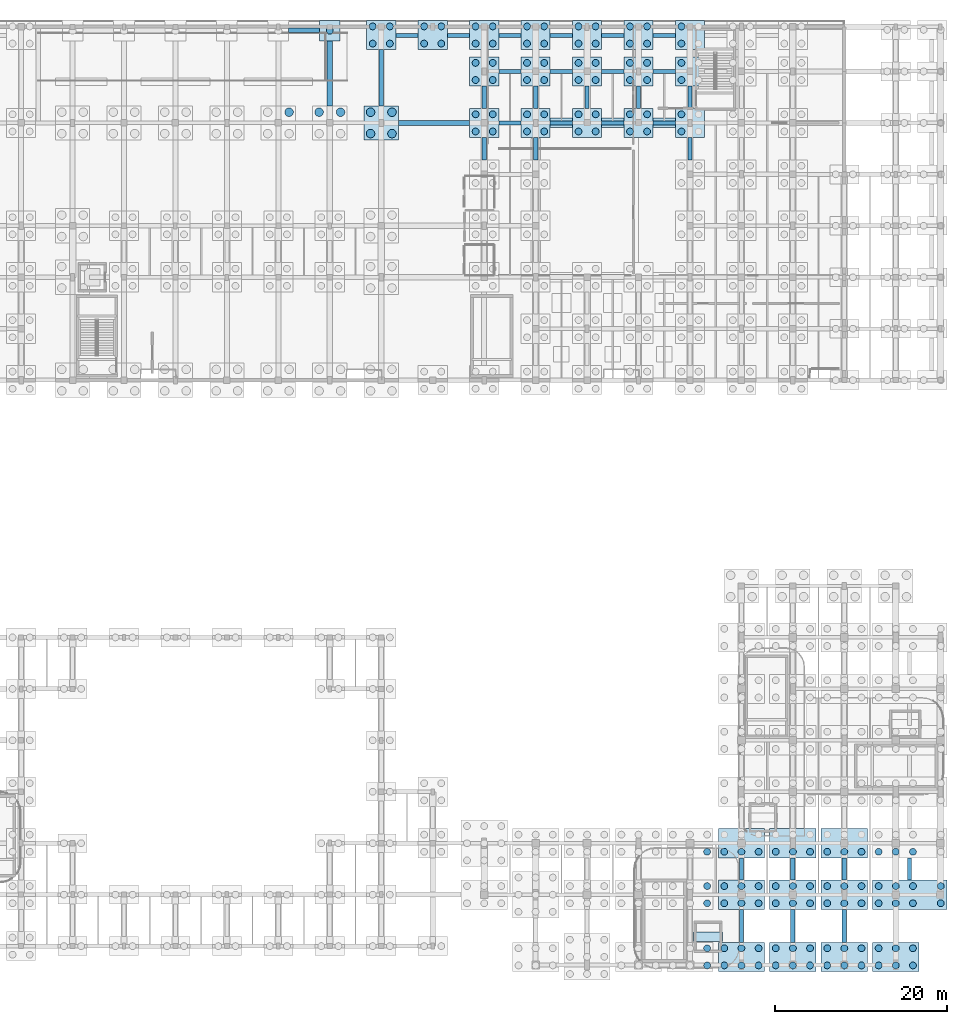
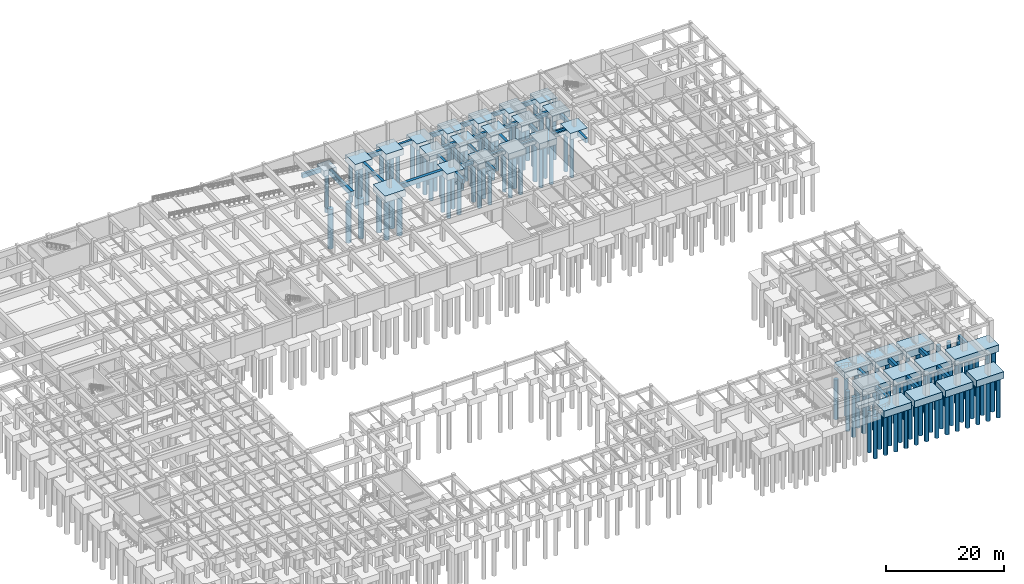
# One storey, part 8 of 32: 137 piles, 65 footings.
"""IFC4 building model written with IfcOpenShell, lengths in metres."""

from ifc_helpers import new_model, si_unit, direction, frame, origin, origin_2d, place, context, subcontext, project, spatial, rectangle, circle, extrude, material, material_profile, profile_set, type_object, element, save


model = new_model("IFC4")

# Units and contexts
model_context = context("Model", 3, precision=1e-05, world=origin(), true_north=direction((0.0, 1.0)))
body_context = subcontext(model_context, "Body", "Model", "MODEL_VIEW")
ifc_project = project(units=[si_unit("LENGTHUNIT", "METRE"), si_unit("AREAUNIT", "SQUARE_METRE"), si_unit("VOLUMEUNIT", "CUBIC_METRE"), si_unit("PLANEANGLEUNIT", "RADIAN"), si_unit("MASSUNIT", "GRAM", prefix="KILO")], contexts=[model_context])

# Site, building, storey
site_placement = place(None, origin())
site = spatial("IfcSite", under=ifc_project, at=site_placement, CompositionType="ELEMENT")
building_placement = place(site_placement, origin())
building = spatial("IfcBuilding", under=site, at=building_placement, Name="Varnakota Square Police Headquarters", CompositionType="ELEMENT")
storey_placement = place(building_placement, frame((0.0, 0.0, -4.5)))
storey = spatial("IfcBuildingStorey", under=building, at=storey_placement, Name="B1", CompositionType="ELEMENT", Elevation=-4.5)

# Footings
ifc_material_1 = material(Name="Concrete M40", Category="concrete")
ifc_material_profile_1 = material_profile(ifc_material_1, rectangle(XDim=0.5, YDim=0.89990234375, at=origin_2d()), Name="GB 500x900")
ifc_profile_set_1 = profile_set([ifc_material_profile_1], Name="Concrete M40")
footing_type_1 = type_object("IfcFootingType", Name="FT-GB1", PredefinedType="FOOTING_BEAM", material=ifc_profile_set_1)
for number, where, z_axis, x_axis, name in (
    (1, (109.699951171875, 99.0, -0.449951171875), (1.0, 0.0, 0.0), (0.0, 1.0, 0.0), "Ground tie beam GB-0145"),
    (2, (115.699951171875, 99.0, -0.449951171875), (1.0, 0.0, 0.0), (0.0, 1.0, 0.0), "Ground tie beam GB-0146"),
    (3, (127.699951171875, 99.0, -0.449951171875), (1.0, 0.0, 0.0), (0.0, 1.0, 0.0), "Ground tie beam GB-0148"),
    (4, (109.699951171875, 105.0, -0.449951171875), (1.0, 0.0, 0.0), (0.0, 1.0, 0.0), "Ground tie beam GB-0157"),
    (5, (115.699951171875, 105.0, -0.449951171875), (1.0, 0.0, 0.0), (0.0, 1.0, 0.0), "Ground tie beam GB-0158"),
    (6, (127.699951171875, 105.0, -0.449951171875), (1.0, 0.0, 0.0), (0.0, 1.0, 0.0), "Ground tie beam GB-0160"),
    (7, (97.699951171875, 109.199951171875, -0.449951171875), (1.0, 0.0, 0.0), (0.0, 1.0, 0.0), "Ground tie beam GB-0170"),
    (8, (109.699951171875, 109.199951171875, -0.449951171875), (1.0, 0.0, 0.0), (0.0, 1.0, 0.0), "Ground tie beam GB-0172"),
    (9, (115.699951171875, 109.199951171875, -0.449951171875), (1.0, 0.0, 0.0), (0.0, 1.0, 0.0), "Ground tie beam GB-0173"),
    (10, (127.699951171875, 109.199951171875, -0.449951171875), (1.0, 0.0, 0.0), (0.0, 1.0, 0.0), "Ground tie beam GB-0175"),
):
    element("IfcFooting", number, at=place(storey_placement, frame(where, z_axis=z_axis, x_axis=x_axis)), inside=storey, type_object=footing_type_1, Name=name, PredefinedType="FOOTING_BEAM", context=body_context, shape_type="SweptSolid", body=[
        extrude(rectangle(XDim=0.5, YDim=0.89990234375, at=origin_2d()), origin(), (0.0, 0.0, 1.0), 2.60009765625),
    ])
footing_1_placement = place(storey_placement, frame((85.199951171875, 109.800048828125, -0.449951171875), z_axis=(1.0, 0.0, 0.0), x_axis=(0.0, 1.0, 0.0)))
element("IfcFooting", 11, at=footing_1_placement, inside=storey, type_object=footing_type_1, Name="Ground tie beam GB-0182", PredefinedType="FOOTING_BEAM", context=body_context, shape_type="SweptSolid", body=[
    extrude(rectangle(XDim=0.5, YDim=0.89990234375, at=origin_2d()), origin(), (0.0, 0.0, 1.0), 3.60009765625),
])
footing_2_placement = place(storey_placement, frame((96.0, 101.0, -0.449951171875), z_axis=(0.0, 1.0, 0.0), x_axis=(-1.0, 0.0, 0.0)))
element("IfcFooting", 12, at=footing_2_placement, inside=storey, type_object=footing_type_1, Name="Ground tie beam GB-0296", PredefinedType="FOOTING_BEAM", context=body_context, shape_type="SweptSolid", body=[
    extrude(rectangle(XDim=0.5, YDim=0.89990234375, at=origin_2d()), origin(), (0.0, 0.0, 1.0), 6.550048828125),
])
for number, where, z_axis, x_axis, name in (
    (13, (108.0, 94.699951171875, -0.449951171875), (0.0, 1.0, 0.0), (-1.0, 0.0, 0.0), "Ground tie beam GB-0302"),
    (14, (108.0, 100.699951171875, -0.449951171875), (0.0, 1.0, 0.0), (-1.0, 0.0, 0.0), "Ground tie beam GB-0303"),
    (15, (114.0, 94.699951171875, -0.449951171875), (0.0, 1.0, 0.0), (-1.0, 0.0, 0.0), "Ground tie beam GB-0309"),
    (16, (114.0, 100.699951171875, -0.449951171875), (0.0, 1.0, 0.0), (-1.0, 0.0, 0.0), "Ground tie beam GB-0310"),
    (17, (120.0, 100.699951171875, -0.449951171875), (0.0, 1.0, 0.0), (-1.0, 0.0, 0.0), "Ground tie beam GB-0315"),
    (18, (126.0, 100.699951171875, -0.449951171875), (0.0, 1.0, 0.0), (-1.0, 0.0, 0.0), "Ground tie beam GB-0320"),
    (19, (132.0, 94.699951171875, -0.449951171875), (0.0, 1.0, 0.0), (-1.0, 0.0, 0.0), "Ground tie beam GB-0327"),
    (20, (132.0, 100.699951171875, -0.449951171875), (0.0, 1.0, 0.0), (-1.0, 0.0, 0.0), "Ground tie beam GB-0328"),
):
    element("IfcFooting", number, at=place(storey_placement, frame(where, z_axis=z_axis, x_axis=x_axis)), inside=storey, type_object=footing_type_1, Name=name, PredefinedType="FOOTING_BEAM", context=body_context, shape_type="SweptSolid", body=[
        extrude(rectangle(XDim=0.5, YDim=0.89990234375, at=origin_2d()), origin(), (0.0, 0.0, 1.0), 2.60009765625),
    ])
footing_3_placement = place(storey_placement, frame((138.0, 3.449951171875, -0.449951171875), z_axis=(0.0, 1.0, 0.0), x_axis=(-1.0, 0.0, 0.0)))
element("IfcFooting", 21, at=footing_3_placement, inside=storey, type_object=footing_type_1, Name="Ground tie beam GB-0329", PredefinedType="FOOTING_BEAM", context=body_context, shape_type="SweptSolid", body=[
    extrude(rectangle(XDim=0.5, YDim=0.89990234375, at=origin_2d()), origin(), (0.0, 0.0, 1.0), 3.85009765625),
])
footing_4_placement = place(storey_placement, frame((138.0, 10.699951171875, -0.449951171875), z_axis=(0.0, 1.0, 0.0), x_axis=(-1.0, 0.0, 0.0)))
element("IfcFooting", 22, at=footing_4_placement, inside=storey, type_object=footing_type_1, Name="Ground tie beam GB-0330", PredefinedType="FOOTING_BEAM", context=body_context, shape_type="SweptSolid", body=[
    extrude(rectangle(XDim=0.5, YDim=0.89990234375, at=origin_2d()), origin(), (0.0, 0.0, 1.0), 2.60009765625),
])
footing_5_placement = place(storey_placement, frame((144.0, 3.449951171875, -0.449951171875), z_axis=(0.0, 1.0, 0.0), x_axis=(-1.0, 0.0, 0.0)))
element("IfcFooting", 23, at=footing_5_placement, inside=storey, type_object=footing_type_1, Name="Ground tie beam GB-0342", PredefinedType="FOOTING_BEAM", context=body_context, shape_type="SweptSolid", body=[
    extrude(rectangle(XDim=0.5, YDim=0.89990234375, at=origin_2d()), origin(), (0.0, 0.0, 1.0), 3.85009765625),
])
footing_6_placement = place(storey_placement, frame((144.0, 10.699951171875, -0.449951171875), z_axis=(0.0, 1.0, 0.0), x_axis=(-1.0, 0.0, 0.0)))
element("IfcFooting", 24, at=footing_6_placement, inside=storey, type_object=footing_type_1, Name="Ground tie beam GB-0343", PredefinedType="FOOTING_BEAM", context=body_context, shape_type="SweptSolid", body=[
    extrude(rectangle(XDim=0.5, YDim=0.89990234375, at=origin_2d()), origin(), (0.0, 0.0, 1.0), 2.60009765625),
])
footing_7_placement = place(storey_placement, frame((150.0, 3.449951171875, -0.449951171875), z_axis=(0.0, 1.0, 0.0), x_axis=(-1.0, 0.0, 0.0)))
element("IfcFooting", 25, at=footing_7_placement, inside=storey, type_object=footing_type_1, Name="Ground tie beam GB-0355", PredefinedType="FOOTING_BEAM", context=body_context, shape_type="SweptSolid", body=[
    extrude(rectangle(XDim=0.5, YDim=0.89990234375, at=origin_2d()), origin(), (0.0, 0.0, 1.0), 3.85009765625),
])
for number, where, z_axis, x_axis, name in (
    (26, (150.0, 10.699951171875, -0.449951171875), (0.0, 1.0, 0.0), (-1.0, 0.0, 0.0), "Ground tie beam GB-0356"),
    (27, (157.60009765625, 10.699951171875, -0.449951171875), (0.0, 1.0, 0.0), (-1.0, 0.0, 0.0), "Ground tie beam GB-0373"),
):
    element("IfcFooting", number, at=place(storey_placement, frame(where, z_axis=z_axis, x_axis=x_axis)), inside=storey, type_object=footing_type_1, Name=name, PredefinedType="FOOTING_BEAM", context=body_context, shape_type="SweptSolid", body=[
        extrude(rectangle(XDim=0.5, YDim=0.89990234375, at=origin_2d()), origin(), (0.0, 0.0, 1.0), 2.60009765625),
    ])
ifc_material_profile_2 = material_profile(ifc_material_1, rectangle(XDim=0.60009765625, YDim=1.0, at=origin_2d()), Name="GB 600x1000")
ifc_profile_set_2 = profile_set([ifc_material_profile_2], Name="Concrete M40")
footing_type_2 = type_object("IfcFootingType", Name="FT-GB2", PredefinedType="FOOTING_BEAM", material=ifc_profile_set_2)
footing_8_placement = place(storey_placement, frame((98.0, 99.0, -0.5), z_axis=(1.0, 0.0, 0.0), x_axis=(0.0, 1.0, 0.0)))
element("IfcFooting", 28, at=footing_8_placement, inside=storey, type_object=footing_type_2, Name="Ground tie beam GB-0144", PredefinedType="FOOTING_BEAM", context=body_context, shape_type="SweptSolid", body=[
    extrude(rectangle(XDim=0.60009765625, YDim=1.0, at=origin_2d()), origin(), (0.0, 0.0, 1.0), 8.300048828125),
])
footing_9_placement = place(storey_placement, frame((90.0, 101.0, -0.5), z_axis=(0.0, 1.0, 0.0), x_axis=(-1.0, 0.0, 0.0)))
element("IfcFooting", 29, at=footing_9_placement, inside=storey, type_object=footing_type_2, Name="Ground tie beam GB-0287", PredefinedType="FOOTING_BEAM", context=body_context, shape_type="SweptSolid", body=[
    extrude(rectangle(XDim=0.60009765625, YDim=1.0, at=origin_2d()), origin(), (0.0, 0.0, 1.0), 7.550048828125),
])
ifc_material_profile_3 = material_profile(ifc_material_1, rectangle(XDim=0.449951171875, YDim=0.800048828125, at=origin_2d()), Name="GB 450x800")
ifc_profile_set_3 = profile_set([ifc_material_profile_3], Name="Concrete M40")
footing_type_3 = type_object("IfcFootingType", Name="FT-GB3", PredefinedType="FOOTING_BEAM", material=ifc_profile_set_3)
for number, where, z_axis, x_axis, name in (
    (30, (121.699951171875, 99.0, -0.39990234375), (1.0, 0.0, 0.0), (0.0, 1.0, 0.0), "Ground tie beam GB-0147"),
    (31, (121.699951171875, 105.0, -0.39990234375), (1.0, 0.0, 0.0), (0.0, 1.0, 0.0), "Ground tie beam GB-0159"),
    (32, (103.699951171875, 109.199951171875, -0.39990234375), (1.0, 0.0, 0.0), (0.0, 1.0, 0.0), "Ground tie beam GB-0171"),
    (33, (121.699951171875, 109.199951171875, -0.39990234375), (1.0, 0.0, 0.0), (0.0, 1.0, 0.0), "Ground tie beam GB-0174"),
):
    element("IfcFooting", number, at=place(storey_placement, frame(where, z_axis=z_axis, x_axis=x_axis)), inside=storey, type_object=footing_type_3, Name=name, PredefinedType="FOOTING_BEAM", context=body_context, shape_type="SweptSolid", body=[
        extrude(rectangle(XDim=0.449951171875, YDim=0.800048828125, at=origin_2d()), origin(), (0.0, 0.0, 1.0), 2.60009765625),
    ])
footing_type_4 = type_object("IfcFootingType", Name="FT-PC1", PredefinedType="PILE_CAP", material=ifc_material_1)
footing_10_placement = place(storey_placement, frame((90.0, 109.75, -1.2001953125), z_axis=(0.0, 0.0, 1.0), x_axis=(1.0, 0.0, 0.0)))
element("IfcFooting", 34, at=footing_10_placement, inside=storey, type_object=footing_type_4, Name="Pile cap CAP-X0900-Y1102", PredefinedType="PILE_CAP", context=body_context, shape_type="SweptSolid", body=[
    extrude(rectangle(XDim=2.39990234375, YDim=2.39990234375, at=origin_2d()), origin(), (0.0, 0.0, 1.0), 1.199951171875),
])
footing_type_5 = type_object("IfcFootingType", Name="FT-PC4", PredefinedType="PILE_CAP", material=ifc_material_1)
for number, where, z_axis, x_axis, name in (
    (35, (96.0, 109.25, -1.2998046875), (0.0, 0.0, 1.0), (1.0, 0.0, 0.0), "Pile cap CAP-X0960-Y1102"),
    (36, (102.0, 109.25, -1.2998046875), (0.0, 0.0, 1.0), (1.0, 0.0, 0.0), "Pile cap CAP-X1020-Y1102"),
    (37, (108.0, 99.0, -1.2998046875), (0.0, 0.0, 1.0), (1.0, 0.0, 0.0), "Pile cap CAP-X1080-Y0990"),
    (38, (108.0, 105.0, -1.2998046875), (0.0, 0.0, 1.0), (1.0, 0.0, 0.0), "Pile cap CAP-X1080-Y1050"),
    (39, (108.0, 109.25, -1.2998046875), (0.0, 0.0, 1.0), (1.0, 0.0, 0.0), "Pile cap CAP-X1080-Y1102"),
    (40, (114.0, 99.0, -1.2998046875), (0.0, 0.0, 1.0), (1.0, 0.0, 0.0), "Pile cap CAP-X1140-Y0990"),
    (41, (114.0, 105.0, -1.2998046875), (0.0, 0.0, 1.0), (1.0, 0.0, 0.0), "Pile cap CAP-X1140-Y1050"),
    (42, (114.0, 109.25, -1.2998046875), (0.0, 0.0, 1.0), (1.0, 0.0, 0.0), "Pile cap CAP-X1140-Y1102"),
    (43, (120.0, 99.0, -1.2998046875), (0.0, 0.0, 1.0), (1.0, 0.0, 0.0), "Pile cap CAP-X1200-Y0990"),
    (44, (120.0, 105.0, -1.2998046875), (0.0, 0.0, 1.0), (1.0, 0.0, 0.0), "Pile cap CAP-X1200-Y1050"),
    (45, (120.0, 109.25, -1.2998046875), (0.0, 0.0, 1.0), (1.0, 0.0, 0.0), "Pile cap CAP-X1200-Y1102"),
    (46, (126.0, 99.0, -1.2998046875), (0.0, 0.0, 1.0), (1.0, 0.0, 0.0), "Pile cap CAP-X1260-Y0990"),
    (47, (126.0, 105.0, -1.2998046875), (0.0, 0.0, 1.0), (1.0, 0.0, 0.0), "Pile cap CAP-X1260-Y1050"),
    (48, (126.0, 109.25, -1.2998046875), (0.0, 0.0, 1.0), (1.0, 0.0, 0.0), "Pile cap CAP-X1260-Y1102"),
    (49, (132.0, 99.0, -1.2998046875), (0.0, 0.0, 1.0), (1.0, 0.0, 0.0), "Pile cap CAP-X1320-Y0990"),
    (50, (132.0, 105.0, -1.2998046875), (0.0, 0.0, 1.0), (1.0, 0.0, 0.0), "Pile cap CAP-X1320-Y1050"),
    (51, (132.0, 109.25, -1.2998046875), (0.0, 0.0, 1.0), (1.0, 0.0, 0.0), "Pile cap CAP-X1320-Y1102"),
):
    element("IfcFooting", number, at=place(storey_placement, frame(where, z_axis=z_axis, x_axis=x_axis)), inside=storey, type_object=footing_type_5, Name=name, PredefinedType="PILE_CAP", context=body_context, shape_type="SweptSolid", body=[
        extrude(rectangle(XDim=3.39990234375, YDim=3.39990234375, at=origin_2d()), origin(), (0.0, 0.0, 1.0), 1.300048828125),
    ])
ifc_material_2 = material(Name="Concrete M50", Category="concrete")
footing_type_6 = type_object("IfcFootingType", Name="FT-PC6", PredefinedType="PILE_CAP", material=ifc_material_2)
footing_11_placement = place(storey_placement, frame((96.0, 99.0, -1.39990234375), z_axis=(0.0, 0.0, 1.0), x_axis=(1.0, 0.0, 0.0)))
element("IfcFooting", 52, at=footing_11_placement, inside=storey, type_object=footing_type_6, Name="Pile cap CAP-X0960-Y0990", PredefinedType="PILE_CAP", context=body_context, shape_type="SweptSolid", body=[
    extrude(rectangle(XDim=4.0, YDim=4.0, at=origin_2d()), origin(), (0.0, 0.0, 1.0), 1.39990234375),
])
footing_type_7 = type_object("IfcFootingType", Name="FT-PC7", PredefinedType="PILE_CAP", material=ifc_material_2)
for number, where, z_axis, x_axis, name in (
    (53, (138.0, 1.75, -1.39990234375), (0.0, 0.0, 1.0), (1.0, 0.0, 0.0), "Pile cap CAP-X1380-Y0008"),
    (54, (138.0, 9.0, -1.39990234375), (0.0, 0.0, 1.0), (1.0, 0.0, 0.0), "Pile cap CAP-X1380-Y0090"),
    (55, (138.0, 15.0, -1.39990234375), (0.0, 0.0, 1.0), (1.0, 0.0, 0.0), "Pile cap CAP-X1380-Y0150"),
    (56, (144.0, 1.75, -1.39990234375), (0.0, 0.0, 1.0), (1.0, 0.0, 0.0), "Pile cap CAP-X1440-Y0008"),
    (57, (144.0, 9.0, -1.39990234375), (0.0, 0.0, 1.0), (1.0, 0.0, 0.0), "Pile cap CAP-X1440-Y0090"),
    (58, (144.0, 15.0, -1.39990234375), (0.0, 0.0, 1.0), (1.0, 0.0, 0.0), "Pile cap CAP-X1440-Y0150"),
    (59, (150.0, 1.75, -1.39990234375), (0.0, 0.0, 1.0), (1.0, 0.0, 0.0), "Pile cap CAP-X1500-Y0008"),
    (60, (150.0, 9.0, -1.39990234375), (0.0, 0.0, 1.0), (1.0, 0.0, 0.0), "Pile cap CAP-X1500-Y0090"),
    (61, (150.0, 15.0, -1.39990234375), (0.0, 0.0, 1.0), (1.0, 0.0, 0.0), "Pile cap CAP-X1500-Y0150"),
    (62, (156.0, 1.75, -1.39990234375), (0.0, 0.0, 1.0), (1.0, 0.0, 0.0), "Pile cap CAP-X1560-Y0008"),
):
    element("IfcFooting", number, at=place(storey_placement, frame(where, z_axis=z_axis, x_axis=x_axis)), inside=storey, type_object=footing_type_7, Name=name, PredefinedType="PILE_CAP", context=body_context, shape_type="SweptSolid", body=[
        extrude(rectangle(XDim=5.39990234375, YDim=3.39990234375, at=origin_2d()), origin(), (0.0, 0.0, 1.0), 1.39990234375),
    ])
footing_type_8 = type_object("IfcFootingType", Name="FT-PCM-865x340x140", PredefinedType="PILE_CAP", material=ifc_material_2)
footing_12_placement = place(storey_placement, frame((157.625, 9.0, -1.39990234375), z_axis=(0.0, 0.0, 1.0), x_axis=(1.0, 0.0, 0.0)))
element("IfcFooting", 63, at=footing_12_placement, inside=storey, type_object=footing_type_8, Name="Pile cap CAP-X1560-Y0090", PredefinedType="PILE_CAP", context=body_context, shape_type="SweptSolid", body=[
    extrude(rectangle(XDim=8.64990234375, YDim=3.39990234375, at=origin_2d()), origin(), (0.0, 0.0, 1.0), 1.39990234375),
])
ifc_material_profile_4 = material_profile(ifc_material_1, rectangle(XDim=1.10009765625, YDim=0.699951171875, at=origin_2d()), Name="SF 1100x700")
ifc_profile_set_4 = profile_set([ifc_material_profile_4], Name="Concrete M40")
footing_type_9 = type_object("IfcFootingType", Name="FT-SF2", PredefinedType="STRIP_FOOTING", material=ifc_profile_set_4)
footing_13_placement = place(storey_placement, frame((115.5, 99.0, -0.35009765625), z_axis=(1.0, 0.0, 0.0), x_axis=(0.0, 1.0, 0.0)))
element("IfcFooting", 64, at=footing_13_placement, inside=storey, type_object=footing_type_9, Name="Strip footing SF-05", PredefinedType="STRIP_FOOTING", context=body_context, shape_type="SweptSolid", body=[
    extrude(rectangle(XDim=1.10009765625, YDim=0.699951171875, at=origin_2d()), origin(), (0.0, 0.0, 1.0), 15.0),
])
footing_14_placement = place(storey_placement, frame((132.39990234375, 4.10009765625, -0.35009765625), z_axis=(1.0, 0.0, 0.0), x_axis=(0.0, 1.0, 0.0)))
element("IfcFooting", 65, at=footing_14_placement, inside=storey, type_object=footing_type_9, Name="Strip footing SF-09", PredefinedType="STRIP_FOOTING", context=body_context, shape_type="SweptSolid", body=[
    extrude(rectangle(XDim=1.10009765625, YDim=0.699951171875, at=origin_2d()), origin(), (0.0, 0.0, 1.0), 3.400146484375),
])

# Piles
ifc_material_profile_5 = material_profile(ifc_material_2, circle(Radius=0.5, at=origin_2d()), Name="BORED PILE 1000")
ifc_profile_set_5 = profile_set([ifc_material_profile_5], Name="Concrete M50")
pile_type_1 = type_object("IfcPileType", Name="PILE-D1000", PredefinedType="BORED", material=ifc_profile_set_5)
for number, where, z_axis, x_axis, name in (
    (66, (85.25, 100.25, -1.300048828125), (0.0, 0.0, -1.0), (1.0, 0.0, 0.0), "Bored pile PLG-0607"),
    (67, (88.75, 100.25, -1.300048828125), (0.0, 0.0, -1.0), (1.0, 0.0, 0.0), "Bored pile PLG-0632"),
    (68, (91.25, 100.25, -1.300048828125), (0.0, 0.0, -1.0), (1.0, 0.0, 0.0), "Bored pile PLG-0634"),
    (69, (94.75, 97.75, -1.300048828125), (0.0, 0.0, -1.0), (1.0, 0.0, 0.0), "Bored pile PLG-0662"),
    (70, (94.75, 100.25, -1.300048828125), (0.0, 0.0, -1.0), (1.0, 0.0, 0.0), "Bored pile PLG-0663"),
    (71, (97.25, 97.75, -1.300048828125), (0.0, 0.0, -1.0), (1.0, 0.0, 0.0), "Bored pile PLG-0664"),
    (72, (97.25, 100.25, -1.300048828125), (0.0, 0.0, -1.0), (1.0, 0.0, 0.0), "Bored pile PLG-0665"),
):
    element("IfcPile", number, at=place(storey_placement, frame(where, z_axis=z_axis, x_axis=x_axis)), inside=storey, type_object=pile_type_1, Name=name, PredefinedType="BORED", context=body_context, shape_type="SweptSolid", body=[
        extrude(circle(Radius=0.5, at=origin_2d()), origin(), (0.0, 0.0, 1.0), 8.199951171875),
    ])
ifc_material_profile_6 = material_profile(ifc_material_1, circle(Radius=0.39990234375, at=origin_2d()), Name="BORED PILE 800")
ifc_profile_set_6 = profile_set([ifc_material_profile_6], Name="Concrete M40")
pile_type_2 = type_object("IfcPileType", Name="PILE-D800", PredefinedType="BORED", material=ifc_profile_set_6)
pile_placement = place(storey_placement, frame((90.0, 109.75, -1.10009765625), z_axis=(0.0, 0.0, -1.0), x_axis=(1.0, 0.0, 0.0)))
element("IfcPile", 73, at=pile_placement, inside=storey, type_object=pile_type_2, Name="Bored pile PLG-0635", PredefinedType="BORED", context=body_context, shape_type="SweptSolid", body=[
    extrude(circle(Radius=0.39990234375, at=origin_2d()), origin(), (0.0, 0.0, 1.0), 8.39990234375),
])
for number, where, z_axis, x_axis, name in (
    (74, (95.0, 108.25, -1.199951171875), (0.0, 0.0, -1.0), (1.0, 0.0, 0.0), "Bored pile PLG-0666"),
    (75, (95.0, 110.25, -1.199951171875), (0.0, 0.0, -1.0), (1.0, 0.0, 0.0), "Bored pile PLG-0667"),
    (76, (97.0, 108.25, -1.199951171875), (0.0, 0.0, -1.0), (1.0, 0.0, 0.0), "Bored pile PLG-0668"),
    (77, (97.0, 110.25, -1.199951171875), (0.0, 0.0, -1.0), (1.0, 0.0, 0.0), "Bored pile PLG-0669"),
    (78, (101.0, 108.25, -1.199951171875), (0.0, 0.0, -1.0), (1.0, 0.0, 0.0), "Bored pile PLG-0684"),
    (79, (101.0, 110.25, -1.199951171875), (0.0, 0.0, -1.0), (1.0, 0.0, 0.0), "Bored pile PLG-0685"),
    (80, (103.0, 108.25, -1.199951171875), (0.0, 0.0, -1.0), (1.0, 0.0, 0.0), "Bored pile PLG-0686"),
    (81, (103.0, 110.25, -1.199951171875), (0.0, 0.0, -1.0), (1.0, 0.0, 0.0), "Bored pile PLG-0687"),
    (82, (107.0, 98.0, -1.199951171875), (0.0, 0.0, -1.0), (1.0, 0.0, 0.0), "Bored pile PLG-0719"),
    (83, (107.0, 100.0, -1.199951171875), (0.0, 0.0, -1.0), (1.0, 0.0, 0.0), "Bored pile PLG-0720"),
    (84, (109.0, 98.0, -1.199951171875), (0.0, 0.0, -1.0), (1.0, 0.0, 0.0), "Bored pile PLG-0721"),
    (85, (109.0, 100.0, -1.199951171875), (0.0, 0.0, -1.0), (1.0, 0.0, 0.0), "Bored pile PLG-0722"),
    (86, (107.0, 104.0, -1.199951171875), (0.0, 0.0, -1.0), (1.0, 0.0, 0.0), "Bored pile PLG-0723"),
    (87, (107.0, 106.0, -1.199951171875), (0.0, 0.0, -1.0), (1.0, 0.0, 0.0), "Bored pile PLG-0724"),
    (88, (109.0, 104.0, -1.199951171875), (0.0, 0.0, -1.0), (1.0, 0.0, 0.0), "Bored pile PLG-0725"),
    (89, (109.0, 106.0, -1.199951171875), (0.0, 0.0, -1.0), (1.0, 0.0, 0.0), "Bored pile PLG-0726"),
    (90, (107.0, 108.25, -1.199951171875), (0.0, 0.0, -1.0), (1.0, 0.0, 0.0), "Bored pile PLG-0727"),
    (91, (107.0, 110.25, -1.199951171875), (0.0, 0.0, -1.0), (1.0, 0.0, 0.0), "Bored pile PLG-0728"),
    (92, (109.0, 108.25, -1.199951171875), (0.0, 0.0, -1.0), (1.0, 0.0, 0.0), "Bored pile PLG-0729"),
    (93, (109.0, 110.25, -1.199951171875), (0.0, 0.0, -1.0), (1.0, 0.0, 0.0), "Bored pile PLG-0730"),
    (94, (113.0, 98.0, -1.199951171875), (0.0, 0.0, -1.0), (1.0, 0.0, 0.0), "Bored pile PLG-0772"),
    (95, (113.0, 100.0, -1.199951171875), (0.0, 0.0, -1.0), (1.0, 0.0, 0.0), "Bored pile PLG-0773"),
    (96, (115.0, 98.0, -1.199951171875), (0.0, 0.0, -1.0), (1.0, 0.0, 0.0), "Bored pile PLG-0774"),
    (97, (115.0, 100.0, -1.199951171875), (0.0, 0.0, -1.0), (1.0, 0.0, 0.0), "Bored pile PLG-0775"),
    (98, (113.0, 104.0, -1.199951171875), (0.0, 0.0, -1.0), (1.0, 0.0, 0.0), "Bored pile PLG-0776"),
    (99, (113.0, 106.0, -1.199951171875), (0.0, 0.0, -1.0), (1.0, 0.0, 0.0), "Bored pile PLG-0777"),
    (100, (115.0, 104.0, -1.199951171875), (0.0, 0.0, -1.0), (1.0, 0.0, 0.0), "Bored pile PLG-0778"),
    (101, (115.0, 106.0, -1.199951171875), (0.0, 0.0, -1.0), (1.0, 0.0, 0.0), "Bored pile PLG-0779"),
    (102, (113.0, 108.25, -1.199951171875), (0.0, 0.0, -1.0), (1.0, 0.0, 0.0), "Bored pile PLG-0780"),
    (103, (113.0, 110.25, -1.199951171875), (0.0, 0.0, -1.0), (1.0, 0.0, 0.0), "Bored pile PLG-0781"),
    (104, (115.0, 108.25, -1.199951171875), (0.0, 0.0, -1.0), (1.0, 0.0, 0.0), "Bored pile PLG-0782"),
    (105, (115.0, 110.25, -1.199951171875), (0.0, 0.0, -1.0), (1.0, 0.0, 0.0), "Bored pile PLG-0783"),
    (106, (119.0, 98.0, -1.199951171875), (0.0, 0.0, -1.0), (1.0, 0.0, 0.0), "Bored pile PLG-0817"),
    (107, (119.0, 100.0, -1.199951171875), (0.0, 0.0, -1.0), (1.0, 0.0, 0.0), "Bored pile PLG-0818"),
    (108, (121.0, 98.0, -1.199951171875), (0.0, 0.0, -1.0), (1.0, 0.0, 0.0), "Bored pile PLG-0819"),
    (109, (121.0, 100.0, -1.199951171875), (0.0, 0.0, -1.0), (1.0, 0.0, 0.0), "Bored pile PLG-0820"),
    (110, (119.0, 104.0, -1.199951171875), (0.0, 0.0, -1.0), (1.0, 0.0, 0.0), "Bored pile PLG-0821"),
    (111, (119.0, 106.0, -1.199951171875), (0.0, 0.0, -1.0), (1.0, 0.0, 0.0), "Bored pile PLG-0822"),
    (112, (121.0, 104.0, -1.199951171875), (0.0, 0.0, -1.0), (1.0, 0.0, 0.0), "Bored pile PLG-0823"),
    (113, (121.0, 106.0, -1.199951171875), (0.0, 0.0, -1.0), (1.0, 0.0, 0.0), "Bored pile PLG-0824"),
    (114, (119.0, 108.25, -1.199951171875), (0.0, 0.0, -1.0), (1.0, 0.0, 0.0), "Bored pile PLG-0825"),
    (115, (119.0, 110.25, -1.199951171875), (0.0, 0.0, -1.0), (1.0, 0.0, 0.0), "Bored pile PLG-0826"),
    (116, (121.0, 108.25, -1.199951171875), (0.0, 0.0, -1.0), (1.0, 0.0, 0.0), "Bored pile PLG-0827"),
    (117, (121.0, 110.25, -1.199951171875), (0.0, 0.0, -1.0), (1.0, 0.0, 0.0), "Bored pile PLG-0828"),
    (118, (125.0, 98.0, -1.199951171875), (0.0, 0.0, -1.0), (1.0, 0.0, 0.0), "Bored pile PLG-0859"),
    (119, (125.0, 100.0, -1.199951171875), (0.0, 0.0, -1.0), (1.0, 0.0, 0.0), "Bored pile PLG-0860"),
    (120, (127.0, 98.0, -1.199951171875), (0.0, 0.0, -1.0), (1.0, 0.0, 0.0), "Bored pile PLG-0861"),
    (121, (127.0, 100.0, -1.199951171875), (0.0, 0.0, -1.0), (1.0, 0.0, 0.0), "Bored pile PLG-0862"),
    (122, (125.0, 104.0, -1.199951171875), (0.0, 0.0, -1.0), (1.0, 0.0, 0.0), "Bored pile PLG-0863"),
    (123, (125.0, 106.0, -1.199951171875), (0.0, 0.0, -1.0), (1.0, 0.0, 0.0), "Bored pile PLG-0864"),
    (124, (127.0, 104.0, -1.199951171875), (0.0, 0.0, -1.0), (1.0, 0.0, 0.0), "Bored pile PLG-0865"),
    (125, (127.0, 106.0, -1.199951171875), (0.0, 0.0, -1.0), (1.0, 0.0, 0.0), "Bored pile PLG-0866"),
    (126, (125.0, 108.25, -1.199951171875), (0.0, 0.0, -1.0), (1.0, 0.0, 0.0), "Bored pile PLG-0867"),
    (127, (125.0, 110.25, -1.199951171875), (0.0, 0.0, -1.0), (1.0, 0.0, 0.0), "Bored pile PLG-0868"),
    (128, (127.0, 108.25, -1.199951171875), (0.0, 0.0, -1.0), (1.0, 0.0, 0.0), "Bored pile PLG-0869"),
    (129, (127.0, 110.25, -1.199951171875), (0.0, 0.0, -1.0), (1.0, 0.0, 0.0), "Bored pile PLG-0870"),
):
    element("IfcPile", number, at=place(storey_placement, frame(where, z_axis=z_axis, x_axis=x_axis)), inside=storey, type_object=pile_type_2, Name=name, PredefinedType="BORED", context=body_context, shape_type="SweptSolid", body=[
        extrude(circle(Radius=0.39990234375, at=origin_2d()), origin(), (0.0, 0.0, 1.0), 8.300048828125),
    ])
for number, where, z_axis, x_axis, name in (
    (130, (134.0, 0.75, -1.300048828125), (0.0, 0.0, -1.0), (1.0, 0.0, 0.0), "Bored pile PLG-0875"),
    (131, (134.0, 2.75, -1.300048828125), (0.0, 0.0, -1.0), (1.0, 0.0, 0.0), "Bored pile PLG-0876"),
    (132, (134.0, 8.0, -1.300048828125), (0.0, 0.0, -1.0), (1.0, 0.0, 0.0), "Bored pile PLG-0881"),
    (133, (134.0, 10.0, -1.300048828125), (0.0, 0.0, -1.0), (1.0, 0.0, 0.0), "Bored pile PLG-0882"),
    (134, (134.0, 14.0, -1.300048828125), (0.0, 0.0, -1.0), (1.0, 0.0, 0.0), "Bored pile PLG-0887"),
):
    element("IfcPile", number, at=place(storey_placement, frame(where, z_axis=z_axis, x_axis=x_axis)), inside=storey, type_object=pile_type_2, Name=name, PredefinedType="BORED", context=body_context, shape_type="SweptSolid", body=[
        extrude(circle(Radius=0.39990234375, at=origin_2d()), origin(), (0.0, 0.0, 1.0), 8.199951171875),
    ])
for number, where, z_axis, x_axis, name in (
    (135, (131.0, 98.0, -1.199951171875), (0.0, 0.0, -1.0), (1.0, 0.0, 0.0), "Bored pile PLG-0909"),
    (136, (131.0, 100.0, -1.199951171875), (0.0, 0.0, -1.0), (1.0, 0.0, 0.0), "Bored pile PLG-0910"),
    (137, (131.0, 104.0, -1.199951171875), (0.0, 0.0, -1.0), (1.0, 0.0, 0.0), "Bored pile PLG-0913"),
    (138, (131.0, 106.0, -1.199951171875), (0.0, 0.0, -1.0), (1.0, 0.0, 0.0), "Bored pile PLG-0914"),
    (139, (131.0, 108.25, -1.199951171875), (0.0, 0.0, -1.0), (1.0, 0.0, 0.0), "Bored pile PLG-0917"),
    (140, (131.0, 110.25, -1.199951171875), (0.0, 0.0, -1.0), (1.0, 0.0, 0.0), "Bored pile PLG-0918"),
):
    element("IfcPile", number, at=place(storey_placement, frame(where, z_axis=z_axis, x_axis=x_axis)), inside=storey, type_object=pile_type_2, Name=name, PredefinedType="BORED", context=body_context, shape_type="SweptSolid", body=[
        extrude(circle(Radius=0.39990234375, at=origin_2d()), origin(), (0.0, 0.0, 1.0), 8.300048828125),
    ])
for number, where, z_axis, x_axis, name in (
    (141, (136.0, 0.75, -1.300048828125), (0.0, 0.0, -1.0), (1.0, 0.0, 0.0), "Bored pile PLG-0921"),
    (142, (136.0, 2.75, -1.300048828125), (0.0, 0.0, -1.0), (1.0, 0.0, 0.0), "Bored pile PLG-0922"),
    (143, (138.0, 0.75, -1.300048828125), (0.0, 0.0, -1.0), (1.0, 0.0, 0.0), "Bored pile PLG-0923"),
    (144, (138.0, 2.75, -1.300048828125), (0.0, 0.0, -1.0), (1.0, 0.0, 0.0), "Bored pile PLG-0924"),
    (145, (140.0, 0.75, -1.300048828125), (0.0, 0.0, -1.0), (1.0, 0.0, 0.0), "Bored pile PLG-0925"),
    (146, (140.0, 2.75, -1.300048828125), (0.0, 0.0, -1.0), (1.0, 0.0, 0.0), "Bored pile PLG-0926"),
    (147, (136.0, 8.0, -1.300048828125), (0.0, 0.0, -1.0), (1.0, 0.0, 0.0), "Bored pile PLG-0927"),
    (148, (136.0, 10.0, -1.300048828125), (0.0, 0.0, -1.0), (1.0, 0.0, 0.0), "Bored pile PLG-0928"),
    (149, (138.0, 8.0, -1.300048828125), (0.0, 0.0, -1.0), (1.0, 0.0, 0.0), "Bored pile PLG-0929"),
    (150, (138.0, 10.0, -1.300048828125), (0.0, 0.0, -1.0), (1.0, 0.0, 0.0), "Bored pile PLG-0930"),
    (151, (140.0, 8.0, -1.300048828125), (0.0, 0.0, -1.0), (1.0, 0.0, 0.0), "Bored pile PLG-0931"),
    (152, (140.0, 10.0, -1.300048828125), (0.0, 0.0, -1.0), (1.0, 0.0, 0.0), "Bored pile PLG-0932"),
    (153, (136.0, 14.0, -1.300048828125), (0.0, 0.0, -1.0), (1.0, 0.0, 0.0), "Bored pile PLG-0933"),
    (154, (138.0, 14.0, -1.300048828125), (0.0, 0.0, -1.0), (1.0, 0.0, 0.0), "Bored pile PLG-0935"),
    (155, (140.0, 14.0, -1.300048828125), (0.0, 0.0, -1.0), (1.0, 0.0, 0.0), "Bored pile PLG-0937"),
    (156, (142.0, 0.75, -1.300048828125), (0.0, 0.0, -1.0), (1.0, 0.0, 0.0), "Bored pile PLG-0999"),
    (157, (142.0, 2.75, -1.300048828125), (0.0, 0.0, -1.0), (1.0, 0.0, 0.0), "Bored pile PLG-1000"),
    (158, (144.0, 0.75, -1.300048828125), (0.0, 0.0, -1.0), (1.0, 0.0, 0.0), "Bored pile PLG-1001"),
    (159, (144.0, 2.75, -1.300048828125), (0.0, 0.0, -1.0), (1.0, 0.0, 0.0), "Bored pile PLG-1002"),
    (160, (146.0, 0.75, -1.300048828125), (0.0, 0.0, -1.0), (1.0, 0.0, 0.0), "Bored pile PLG-1003"),
    (161, (146.0, 2.75, -1.300048828125), (0.0, 0.0, -1.0), (1.0, 0.0, 0.0), "Bored pile PLG-1004"),
    (162, (142.0, 8.0, -1.300048828125), (0.0, 0.0, -1.0), (1.0, 0.0, 0.0), "Bored pile PLG-1005"),
    (163, (142.0, 10.0, -1.300048828125), (0.0, 0.0, -1.0), (1.0, 0.0, 0.0), "Bored pile PLG-1006"),
    (164, (144.0, 8.0, -1.300048828125), (0.0, 0.0, -1.0), (1.0, 0.0, 0.0), "Bored pile PLG-1007"),
    (165, (144.0, 10.0, -1.300048828125), (0.0, 0.0, -1.0), (1.0, 0.0, 0.0), "Bored pile PLG-1008"),
    (166, (146.0, 8.0, -1.300048828125), (0.0, 0.0, -1.0), (1.0, 0.0, 0.0), "Bored pile PLG-1009"),
    (167, (146.0, 10.0, -1.300048828125), (0.0, 0.0, -1.0), (1.0, 0.0, 0.0), "Bored pile PLG-1010"),
    (168, (142.0, 14.0, -1.300048828125), (0.0, 0.0, -1.0), (1.0, 0.0, 0.0), "Bored pile PLG-1011"),
    (169, (144.0, 14.0, -1.300048828125), (0.0, 0.0, -1.0), (1.0, 0.0, 0.0), "Bored pile PLG-1013"),
    (170, (146.0, 14.0, -1.300048828125), (0.0, 0.0, -1.0), (1.0, 0.0, 0.0), "Bored pile PLG-1015"),
    (171, (148.0, 0.75, -1.300048828125), (0.0, 0.0, -1.0), (1.0, 0.0, 0.0), "Bored pile PLG-1077"),
    (172, (148.0, 2.75, -1.300048828125), (0.0, 0.0, -1.0), (1.0, 0.0, 0.0), "Bored pile PLG-1078"),
    (173, (150.0, 0.75, -1.300048828125), (0.0, 0.0, -1.0), (1.0, 0.0, 0.0), "Bored pile PLG-1079"),
    (174, (150.0, 2.75, -1.300048828125), (0.0, 0.0, -1.0), (1.0, 0.0, 0.0), "Bored pile PLG-1080"),
    (175, (152.0, 0.75, -1.300048828125), (0.0, 0.0, -1.0), (1.0, 0.0, 0.0), "Bored pile PLG-1081"),
    (176, (152.0, 2.75, -1.300048828125), (0.0, 0.0, -1.0), (1.0, 0.0, 0.0), "Bored pile PLG-1082"),
    (177, (148.0, 8.0, -1.300048828125), (0.0, 0.0, -1.0), (1.0, 0.0, 0.0), "Bored pile PLG-1083"),
    (178, (148.0, 10.0, -1.300048828125), (0.0, 0.0, -1.0), (1.0, 0.0, 0.0), "Bored pile PLG-1084"),
    (179, (150.0, 8.0, -1.300048828125), (0.0, 0.0, -1.0), (1.0, 0.0, 0.0), "Bored pile PLG-1085"),
    (180, (150.0, 10.0, -1.300048828125), (0.0, 0.0, -1.0), (1.0, 0.0, 0.0), "Bored pile PLG-1086"),
    (181, (152.0, 8.0, -1.300048828125), (0.0, 0.0, -1.0), (1.0, 0.0, 0.0), "Bored pile PLG-1087"),
    (182, (152.0, 10.0, -1.300048828125), (0.0, 0.0, -1.0), (1.0, 0.0, 0.0), "Bored pile PLG-1088"),
    (183, (148.0, 14.0, -1.300048828125), (0.0, 0.0, -1.0), (1.0, 0.0, 0.0), "Bored pile PLG-1089"),
    (184, (150.0, 14.0, -1.300048828125), (0.0, 0.0, -1.0), (1.0, 0.0, 0.0), "Bored pile PLG-1091"),
    (185, (152.0, 14.0, -1.300048828125), (0.0, 0.0, -1.0), (1.0, 0.0, 0.0), "Bored pile PLG-1093"),
    (186, (154.0, 0.75, -1.300048828125), (0.0, 0.0, -1.0), (1.0, 0.0, 0.0), "Bored pile PLG-1133"),
    (187, (154.0, 2.75, -1.300048828125), (0.0, 0.0, -1.0), (1.0, 0.0, 0.0), "Bored pile PLG-1134"),
    (188, (156.0, 0.75, -1.300048828125), (0.0, 0.0, -1.0), (1.0, 0.0, 0.0), "Bored pile PLG-1135"),
    (189, (156.0, 2.75, -1.300048828125), (0.0, 0.0, -1.0), (1.0, 0.0, 0.0), "Bored pile PLG-1136"),
    (190, (158.0, 0.75, -1.300048828125), (0.0, 0.0, -1.0), (1.0, 0.0, 0.0), "Bored pile PLG-1137"),
    (191, (158.0, 2.75, -1.300048828125), (0.0, 0.0, -1.0), (1.0, 0.0, 0.0), "Bored pile PLG-1138"),
    (192, (154.0, 8.0, -1.300048828125), (0.0, 0.0, -1.0), (1.0, 0.0, 0.0), "Bored pile PLG-1139"),
    (193, (154.0, 10.0, -1.300048828125), (0.0, 0.0, -1.0), (1.0, 0.0, 0.0), "Bored pile PLG-1140"),
    (194, (156.0, 8.0, -1.300048828125), (0.0, 0.0, -1.0), (1.0, 0.0, 0.0), "Bored pile PLG-1141"),
    (195, (156.0, 10.0, -1.300048828125), (0.0, 0.0, -1.0), (1.0, 0.0, 0.0), "Bored pile PLG-1142"),
    (196, (158.0, 8.0, -1.300048828125), (0.0, 0.0, -1.0), (1.0, 0.0, 0.0), "Bored pile PLG-1143"),
    (197, (158.0, 10.0, -1.300048828125), (0.0, 0.0, -1.0), (1.0, 0.0, 0.0), "Bored pile PLG-1144"),
    (198, (161.25, 8.0, -1.300048828125), (0.0, 0.0, -1.0), (1.0, 0.0, 0.0), "Bored pile PLG-1145"),
    (199, (161.25, 10.0, -1.300048828125), (0.0, 0.0, -1.0), (1.0, 0.0, 0.0), "Bored pile PLG-1146"),
    (200, (154.0, 14.0, -1.300048828125), (0.0, 0.0, -1.0), (1.0, 0.0, 0.0), "Bored pile PLG-1147"),
    (201, (156.0, 14.0, -1.300048828125), (0.0, 0.0, -1.0), (1.0, 0.0, 0.0), "Bored pile PLG-1149"),
    (202, (158.0, 14.0, -1.300048828125), (0.0, 0.0, -1.0), (1.0, 0.0, 0.0), "Bored pile PLG-1151"),
):
    element("IfcPile", number, at=place(storey_placement, frame(where, z_axis=z_axis, x_axis=x_axis)), inside=storey, type_object=pile_type_2, Name=name, PredefinedType="BORED", context=body_context, shape_type="SweptSolid", body=[
        extrude(circle(Radius=0.39990234375, at=origin_2d()), origin(), (0.0, 0.0, 1.0), 8.199951171875),
    ])

save(model, "model.ifc")
